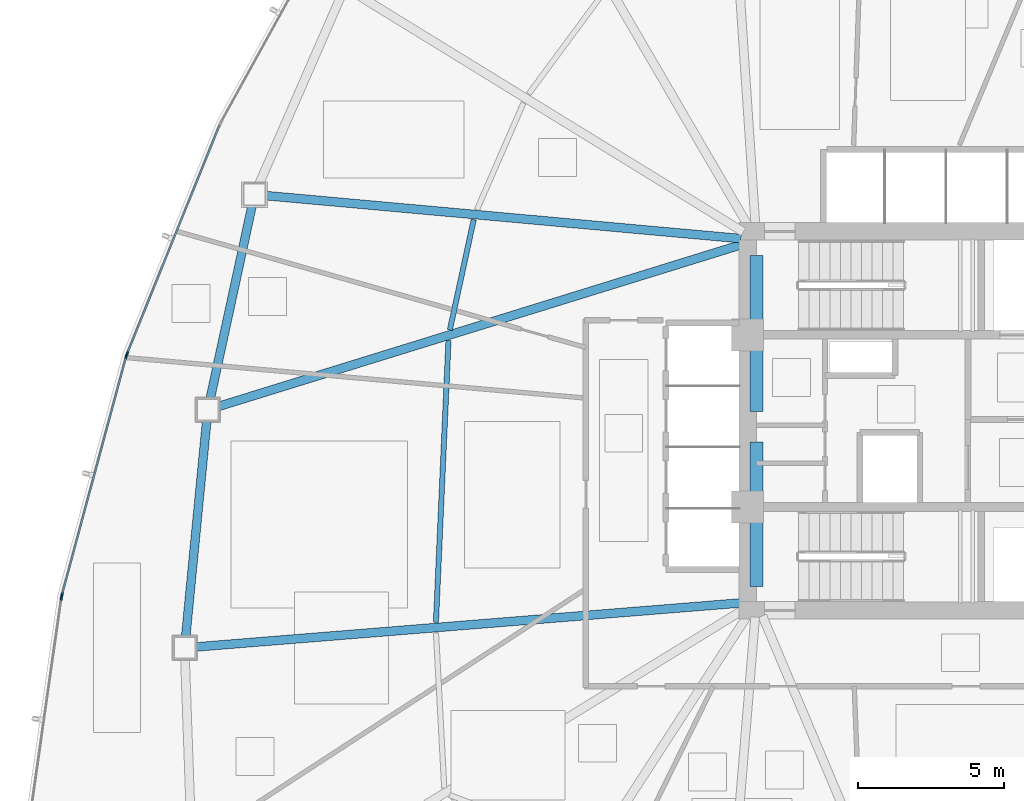
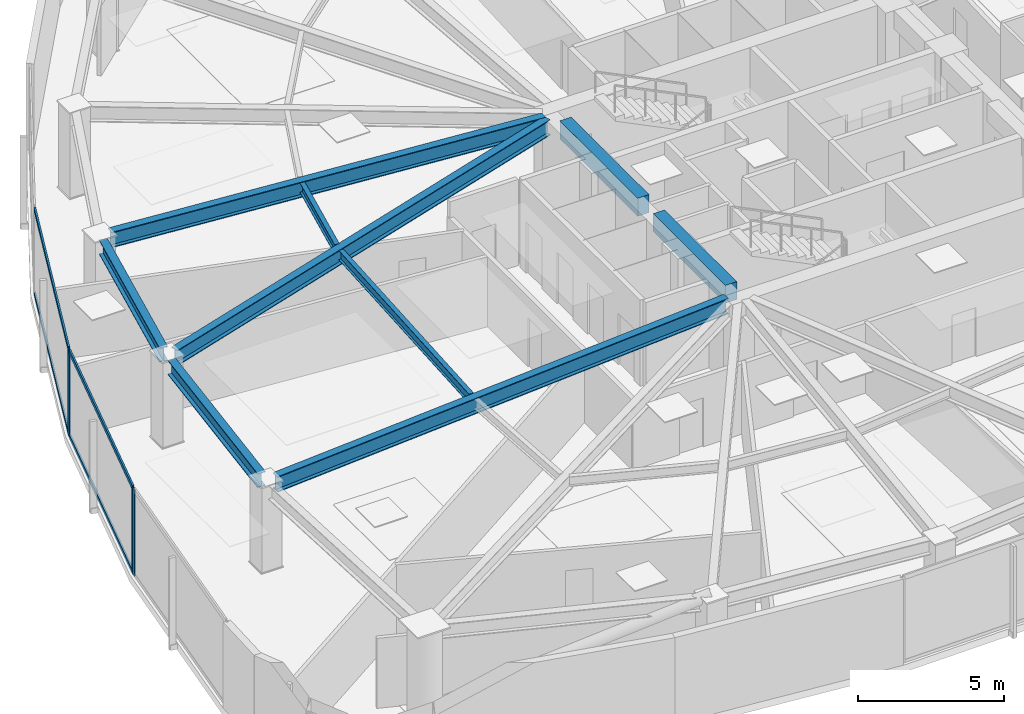
# One storey, part 4 of 17: 9 beams, 8 members, 3 elements without a shape of their own.
"""IFC4 building model written with IfcOpenShell, lengths in metres."""

import ifcopenshell
import ifcopenshell.guid

model = None  # the IFC model being written
_history = None  # IfcOwnerHistory: only IFC2X3 demands one
_inside = {}  # id of a spatial element -> (the spatial element, [elements in it])
_under = {}  # id of a project, library or spatial element -> (it, [spatial elements below it])
_declared = {}  # id of a project -> (the project, [libraries it declares])
_typed = {}  # id of a type object -> (the type object, [elements of that type])
_made_of = {}  # id of a material, layer set ... -> (it, [elements and type objects made of it])


def new_model(schema):
    """Start an empty IFC model of exactly this schema.

    Asked for "IFC4X3", IfcOpenShell would pick the latest addendum, in which some entities
    have other attributes; the version numbers below select the first issue.
    IFC2X3 requires an IfcOwnerHistory on every rooted entity: one is made here for all.
    """
    global model, _history
    if schema == "IFC4X3":
        model = ifcopenshell.file(schema_version=(4, 3, 0, 0))
    else:
        model = ifcopenshell.file(schema=schema)
    _inside.clear()
    _under.clear()
    _declared.clear()
    _typed.clear()
    _made_of.clear()
    _history = None
    if model.schema == "IFC2X3":
        org = make("IfcOrganization", Name="unknown")
        user = make(
            "IfcPersonAndOrganization",
            ThePerson=make("IfcPerson", FamilyName="unknown"),
            TheOrganization=org,
        )
        app = make(
            "IfcApplication",
            ApplicationDeveloper=org,
            Version="unknown",
            ApplicationFullName="unknown",
            ApplicationIdentifier="unknown",
        )
        _history = make(
            "IfcOwnerHistory",
            OwningUser=user,
            OwningApplication=app,
            ChangeAction="ADDED",
            CreationDate=0,
        )
    return model


def make(cls, **values):
    """One entity of the class cls with the attributes given. An attribute that is None is left unset."""
    return model.create_entity(
        cls, **{name: value for name, value in values.items() if value is not None}
    )


def rooted(cls, **values):
    """An entity with a GlobalId (a new one), such as an element, a storey or a relation."""
    return make(cls, GlobalId=ifcopenshell.guid.new(), OwnerHistory=_history, **values)


def si_unit(unit_type, name, prefix=None):
    """IfcSIUnit, for example si_unit("LENGTHUNIT", "METRE", prefix="MILLI")."""
    return make("IfcSIUnit", UnitType=unit_type, Prefix=prefix, Name=name)


def assignment(units):
    """IfcUnitAssignment: the units of a project."""
    return None if units is None else make("IfcUnitAssignment", Units=units)


def point(xyz):
    """IfcCartesianPoint."""
    return None if xyz is None else make("IfcCartesianPoint", Coordinates=xyz)


def direction(xyz):
    """IfcDirection."""
    return None if xyz is None else make("IfcDirection", DirectionRatios=xyz)


def frame(location, z_axis=None, x_axis=None):
    """IfcAxis2Placement3D, a coordinate frame: its origin and axes. An axis left out is left unset."""
    return make(
        "IfcAxis2Placement3D",
        Location=point(location),
        Axis=direction(z_axis),
        RefDirection=direction(x_axis),
    )


def frame_2d(location, x_axis=None):
    """IfcAxis2Placement2D, a coordinate frame in the plane: its origin and x axis."""
    return make(
        "IfcAxis2Placement2D", Location=point(location), RefDirection=direction(x_axis)
    )


def origin():
    """The frame at (0, 0, 0) with its axes left unset."""
    return frame((0.0, 0.0, 0.0))


def origin_2d():
    """The frame at (0, 0) in the plane with its x axis left unset."""
    return frame_2d((0.0, 0.0))


def place(relative_to, where):
    """IfcLocalPlacement: puts the frame where relative to a parent placement (None: the world)."""
    return make(
        "IfcLocalPlacement", PlacementRelTo=relative_to, RelativePlacement=where
    )


def context(
    kind, dimensions, precision=None, world=None, true_north=None, identifier=None
):
    """IfcGeometricRepresentationContext, for example the 3D "Model" context."""
    return make(
        "IfcGeometricRepresentationContext",
        ContextIdentifier=identifier,
        ContextType=kind,
        CoordinateSpaceDimension=dimensions,
        Precision=precision,
        WorldCoordinateSystem=world,
        TrueNorth=true_north,
    )


def subcontext(parent, identifier, kind, view, scale=None):
    """IfcGeometricRepresentationSubContext, for example "Body" below "Model"."""
    return make(
        "IfcGeometricRepresentationSubContext",
        ContextIdentifier=identifier,
        ContextType=kind,
        ParentContext=parent,
        TargetScale=scale,
        TargetView=view,
    )


def project(units=None, contexts=None):
    """IfcProject with its units and contexts."""
    return rooted(
        "IfcProject",
        Name="project",
        RepresentationContexts=contexts,
        UnitsInContext=assignment(units),
    )


def spatial(cls, under=None, at=None, **own):
    """A site, building, storey or space (cls), placed at a placement, below another one or the project."""
    s = rooted(cls, ObjectPlacement=at, **own)
    if under is not None:
        _under.setdefault(under.id(), (under, []))[1].append(s)
    return s


def profile(cls, at=None, kind="AREA", **sizes):
    """A parametric profile (cls). Its sizes go by their IFC names, for example OverallWidth=200.0."""
    return make(cls, ProfileType=kind, Position=at, **sizes)


def rectangle(**sizes):
    """IfcRectangleProfileDef."""
    return profile("IfcRectangleProfileDef", **sizes)


def hollow_rectangle(**sizes):
    """IfcRectangleHollowProfileDef."""
    return profile("IfcRectangleHollowProfileDef", **sizes)


def i_section(**sizes):
    """IfcIShapeProfileDef."""
    return profile("IfcIShapeProfileDef", **sizes)


def extrude(swept, where, along, depth):
    """IfcExtrudedAreaSolid: the profile swept, set in the frame where, extruded along a direction by depth."""
    return make(
        "IfcExtrudedAreaSolid",
        SweptArea=swept,
        Position=where,
        ExtrudedDirection=direction(along),
        Depth=depth,
    )


def shape(context_of_items, identifier, shape_type, items):
    """IfcShapeRepresentation: the items that make up one representation, for example the "Body"."""
    return make(
        "IfcShapeRepresentation",
        ContextOfItems=context_of_items,
        RepresentationIdentifier=identifier,
        RepresentationType=shape_type,
        Items=items,
    )


def source(mapping_origin, context_of_items, identifier, shape_type, items):
    """IfcRepresentationMap: a shape defined once, which mapped items show again and again."""
    return make(
        "IfcRepresentationMap",
        MappingOrigin=mapping_origin,
        MappedRepresentation=shape(context_of_items, identifier, shape_type, items),
    )


def transform(
    local_origin,
    x_axis=None,
    y_axis=None,
    z_axis=None,
    scale=None,
    scale2=None,
    scale3=None,
    uniform=True,
):
    """IfcCartesianTransformationOperator3D, or its non-uniform kind. x_axis, y_axis, z_axis: its Axis1, 2, 3."""
    if uniform:
        return make(
            "IfcCartesianTransformationOperator3D",
            Axis1=direction(x_axis),
            Axis2=direction(y_axis),
            LocalOrigin=point(local_origin),
            Scale=scale,
            Axis3=direction(z_axis),
        )
    return make(
        "IfcCartesianTransformationOperator3DnonUniform",
        Axis1=direction(x_axis),
        Axis2=direction(y_axis),
        LocalOrigin=point(local_origin),
        Scale=scale,
        Axis3=direction(z_axis),
        Scale2=scale2,
        Scale3=scale3,
    )


def mapped(mapping_source, mapping_target):
    """IfcMappedItem: shows the shape of a source again, moved by a transform."""
    return make(
        "IfcMappedItem", MappingSource=mapping_source, MappingTarget=mapping_target
    )


def material(Name=None, Category=None):
    """IfcMaterial."""
    return make("IfcMaterial", Name=Name, Category=Category)


def layer(
    of_material, thickness, ventilated=None, Name=None, Category=None, Priority=None
):
    """IfcMaterialLayer: one layer of a wall or slab, of a material (None: an air gap)."""
    return make(
        "IfcMaterialLayer",
        Material=of_material,
        LayerThickness=thickness,
        IsVentilated=ventilated,
        Name=Name,
        Category=Category,
        Priority=Priority,
    )


def layer_set(layers, Name=None):
    """IfcMaterialLayerSet."""
    return make("IfcMaterialLayerSet", MaterialLayers=layers, LayerSetName=Name)


def material_profile(
    of_material, cross_section, Name=None, Category=None, Priority=None
):
    """IfcMaterialProfile: a cross section and its material."""
    return make(
        "IfcMaterialProfile",
        Name=Name,
        Material=of_material,
        Profile=cross_section,
        Priority=Priority,
        Category=Category,
    )


def profile_set(profiles, Name=None, composite=None):
    """IfcMaterialProfileSet."""
    return make(
        "IfcMaterialProfileSet",
        Name=Name,
        MaterialProfiles=profiles,
        CompositeProfile=composite,
    )


def made_of(thing, what):
    """Note that an element or type object is made of a material, layer set ...; save() writes the relation."""
    if what is not None:
        _made_of.setdefault(what.id(), (what, []))[1].append(thing)
    return thing


def type_object(cls, material=None, **own):
    """A type object (cls), such as IfcWallType, which elements share."""
    return made_of(rooted(cls, **own), material)


def type_shapes(of_type, sources):
    """Give a type object the sources (RepresentationMaps) that its elements show as mapped items."""
    of_type.RepresentationMaps = sources


def element(
    cls,
    number,
    at=None,
    inside=None,
    cuts=None,
    type_object=None,
    material=None,
    context=None,
    identifier="Body",
    shape_type=None,
    held_by="IfcProductDefinitionShape",
    body=None,
    shapes=None,
    **own,
):
    """One element of the class cls, such as IfcWall. Its Tag is "e" and its number.

    at: its placement. inside: the storey or other place that contains it. cuts: it is an
    opening in that element (IfcRelVoidsElement). A single representation is given by context,
    identifier, shape_type and body (its items); several are given by shapes. held_by: the class
    of the entity that holds the representations. save() writes the other relations.
    """
    e = rooted(cls, Tag="e%d" % number, ObjectPlacement=at, **own)
    if body is not None:
        shapes = [shape(context, identifier, shape_type, body)]
    if shapes is not None:
        e.Representation = make(held_by, Representations=shapes)
    if inside is not None:
        _inside.setdefault(inside.id(), (inside, []))[1].append(e)
    if cuts is not None:
        rooted(
            "IfcRelVoidsElement", RelatingBuildingElement=cuts, RelatedOpeningElement=e
        )
    if type_object is not None:
        _typed.setdefault(type_object.id(), (type_object, []))[1].append(e)
    return made_of(e, material)


def aggregate(whole, parts):
    """IfcRelAggregates: a whole, such as a stair, and the parts it consists of."""
    return rooted("IfcRelAggregates", RelatingObject=whole, RelatedObjects=parts)


def save(model, path):
    """Write the relations noted so far, then the file.

    IfcRelAggregates (storeys below a building ...), IfcRelContainedInSpatialStructure (elements
    in a storey), IfcRelDefinesByType, IfcRelAssociatesMaterial and IfcRelDeclares: one each for
    every whole, place, type object, material and project.
    """
    for whole, parts in _under.values():
        aggregate(whole, parts)
    for where, things in _inside.values():
        rooted(
            "IfcRelContainedInSpatialStructure",
            RelatedElements=things,
            RelatingStructure=where,
        )
    for kind, things in _typed.values():
        rooted("IfcRelDefinesByType", RelatedObjects=things, RelatingType=kind)
    for what, things in _made_of.values():
        rooted("IfcRelAssociatesMaterial", RelatedObjects=things, RelatingMaterial=what)
    for by, libraries in _declared.values():
        rooted("IfcRelDeclares", RelatingContext=by, RelatedDefinitions=libraries)
    model.write(path)


model = new_model("IFC4")

# Units and contexts
model_context = context("Model", 3, precision=1e-05, world=origin(), true_north=direction((0.0, 1.0)))
body_context = subcontext(model_context, "Body", "Model", "MODEL_VIEW")
ifc_project = project(units=[si_unit("LENGTHUNIT", "METRE"), si_unit("AREAUNIT", "SQUARE_METRE"), si_unit("VOLUMEUNIT", "CUBIC_METRE"), si_unit("PLANEANGLEUNIT", "RADIAN"), si_unit("MASSUNIT", "GRAM", prefix="KILO")], contexts=[model_context])

# Site, building, storey
site_placement = place(None, origin())
site = spatial("IfcSite", under=ifc_project, at=site_placement, CompositionType="ELEMENT")
building_placement = place(site_placement, origin())
building = spatial("IfcBuilding", under=site, at=building_placement, Name="Tavelor Broadcast Tower", CompositionType="ELEMENT")
storey_placement = place(building_placement, frame((0.0, 0.0, 43.199951171875)))
storey = spatial("IfcBuildingStorey", under=building, at=storey_placement, Name="L09", CompositionType="ELEMENT", Elevation=43.199951171875)

# Beams
ifc_material_1 = material(Name="Concrete C40/50", Category="concrete")
ifc_material_profile_1 = material_profile(ifc_material_1, rectangle(XDim=0.449951171875, YDim=0.75, at=origin_2d()), Name="RC 450x750")
ifc_profile_set_1 = profile_set([ifc_material_profile_1], Name="Concrete C40/50")
beam_type_1 = type_object("IfcBeamType", Name="Basement Core Trim Beam 450x750", PredefinedType="BEAM", material=ifc_profile_set_1)
beam_1_placement = place(storey_placement, frame((43.39990234375, 45.327880859375, 3.22509765625), z_axis=(0.0, 1.0, 0.0), x_axis=(-1.0, 0.0, 0.0)))
element("IfcBeam", 1, at=beam_1_placement, inside=storey, type_object=beam_type_1, Name="L09 Core West-N Tie Girder", PredefinedType="BEAM", context=body_context, shape_type="SweptSolid", body=[
    extrude(rectangle(XDim=0.449951171875, YDim=0.75, at=origin_2d()), origin(), (0.0, 0.0, 1.0), 5.34423828125),
])
beam_2_placement = place(storey_placement, frame((43.39990234375, 39.327880859375, 3.22509765625), z_axis=(0.0, 1.0, 0.0), x_axis=(-1.0, 0.0, 0.0)))
element("IfcBeam", 2, at=beam_2_placement, inside=storey, type_object=beam_type_1, Name="L09 Core West-S Tie Girder", PredefinedType="BEAM", context=body_context, shape_type="SweptSolid", body=[
    extrude(rectangle(XDim=0.449951171875, YDim=0.75, at=origin_2d()), origin(), (0.0, 0.0, 1.0), 4.944091796875),
])
ifc_material_2 = material(Name="Steel S355", Category="steel")
ifc_material_profile_2 = material_profile(ifc_material_2, i_section(OverallWidth=0.179931640625, OverallDepth=0.39990234375, WebThickness=0.008544921875, FlangeThickness=0.013427734375, at=origin_2d()), Name="IPE 400")
ifc_profile_set_2 = profile_set([ifc_material_profile_2], Name="Steel S355")
beam_type_2 = type_object("IfcBeamType", Name="Composite Floor Joist T1 IPE 400", PredefinedType="JOIST", material=ifc_profile_set_2)
beam_3_placement = place(storey_placement, frame((33.70654296875, 51.897216796875, 3.400146484375), z_axis=(-0.211371868345, -0.977405715797, 0.0), x_axis=(0.977405715797, -0.211371868345, 0.0)))
element("IfcBeam", 3, at=beam_3_placement, inside=storey, type_object=beam_type_2, Name="L09 Secondary Composite Floor Joist 04", PredefinedType="JOIST", context=body_context, shape_type="SweptSolid", body=[
    extrude(i_section(OverallWidth=0.179931640625, OverallDepth=0.39990234375, WebThickness=0.008544921875, FlangeThickness=0.013427734375, at=origin_2d()), origin(), (0.0, 0.0, 1.0), 3.87158203125),
])
beam_4_placement = place(storey_placement, frame((32.841796875, 47.75537109375, 3.400146484375), z_axis=(-0.044449316538, -0.999011640703, 0.0), x_axis=(0.999011640703, -0.044449316538, 0.0)))
element("IfcBeam", 4, at=beam_4_placement, inside=storey, type_object=beam_type_2, Name="L09 Secondary Composite Floor Joist 05", PredefinedType="JOIST", context=body_context, shape_type="SweptSolid", body=[
    extrude(i_section(OverallWidth=0.179931640625, OverallDepth=0.39990234375, WebThickness=0.008544921875, FlangeThickness=0.013427734375, at=origin_2d()), origin(), (0.0, 0.0, 1.0), 9.67236328125),
])
ifc_material_profile_3 = material_profile(ifc_material_2, i_section(OverallWidth=0.300048828125, OverallDepth=0.60009765625, WebThickness=0.015380859375, FlangeThickness=0.030029296875, at=origin_2d()), Name="HEB 600")
ifc_profile_set_3 = profile_set([ifc_material_profile_3], Name="Steel S355")
beam_type_3 = type_object("IfcBeamType", Name="Perimeter Spandrel Beam T1 HEB 600", PredefinedType="SPANDREL", material=ifc_profile_set_3)
beam_5_placement = place(storey_placement, frame((26.10791015625, 52.3828125, 3.300048828125), z_axis=(-0.211857092451, -0.977300656082, 0.0), x_axis=(0.977300656082, -0.211857092451, 0.0)))
element("IfcBeam", 5, at=beam_5_placement, inside=storey, type_object=beam_type_3, Name="L09 Framed-Tube Ring Spandrel 04", PredefinedType="SPANDREL", context=body_context, shape_type="SweptSolid", body=[
    extrude(i_section(OverallWidth=0.300048828125, OverallDepth=0.60009765625, WebThickness=0.015380859375, FlangeThickness=0.030029296875, at=origin_2d()), origin(), (0.0, 0.0, 1.0), 6.780517578125),
])
beam_6_placement = place(storey_placement, frame((24.552734375, 44.99853515625, 3.300048828125), z_axis=(-0.096967474029, -0.995287550902, 0.0), x_axis=(0.995287550902, -0.096967474029, 0.0)))
element("IfcBeam", 6, at=beam_6_placement, inside=storey, type_object=beam_type_3, Name="L09 Framed-Tube Ring Spandrel 05", PredefinedType="SPANDREL", context=body_context, shape_type="SweptSolid", body=[
    extrude(i_section(OverallWidth=0.300048828125, OverallDepth=0.60009765625, WebThickness=0.015380859375, FlangeThickness=0.030029296875, at=origin_2d()), origin(), (0.0, 0.0, 1.0), 7.43505859375),
])
ifc_material_profile_4 = material_profile(ifc_material_2, i_section(OverallWidth=0.300048828125, OverallDepth=0.64990234375, WebThickness=0.01611328125, FlangeThickness=0.031005859375, at=origin_2d()), Name="HEB 650")
ifc_profile_set_4 = profile_set([ifc_material_profile_4], Name="Steel S355")
beam_type_4 = type_object("IfcBeamType", Name="Radial Floor Girder T1 HEB 650", PredefinedType="BEAM", material=ifc_profile_set_4)
beam_7_placement = place(storey_placement, frame((42.874267578125, 51.24755859375, 3.275146484375), z_axis=(-0.995926026359, 0.090173998583, 0.0), x_axis=(-0.090173998583, -0.995926026359, 0.0)))
element("IfcBeam", 7, at=beam_7_placement, inside=storey, type_object=beam_type_4, Name="L09 Radial Primary Floor Girder 04", PredefinedType="BEAM", context=body_context, shape_type="SweptSolid", body=[
    extrude(i_section(OverallWidth=0.300048828125, OverallDepth=0.64990234375, WebThickness=0.01611328125, FlangeThickness=0.031005859375, at=origin_2d()), origin(), (0.0, 0.0, 1.0), 16.369140625),
])
beam_8_placement = place(storey_placement, frame((42.8955078125, 51.0439453125, 3.275146484375), z_axis=(-0.955325842182, -0.29555462314, 0.0), x_axis=(0.29555462314, -0.955325842182, 0.0)))
element("IfcBeam", 8, at=beam_8_placement, inside=storey, type_object=beam_type_4, Name="L09 Radial Primary Floor Girder 05", PredefinedType="BEAM", context=body_context, shape_type="SweptSolid", body=[
    extrude(i_section(OverallWidth=0.300048828125, OverallDepth=0.64990234375, WebThickness=0.01611328125, FlangeThickness=0.031005859375, at=origin_2d()), origin(), (0.0, 0.0, 1.0), 18.777587890625),
])
beam_9_placement = place(storey_placement, frame((42.873779296875, 38.757568359375, 3.275146484375), z_axis=(-0.996753315624, -0.080516009538, 0.0), x_axis=(0.080516009538, -0.996753315624, 0.0)))
element("IfcBeam", 9, at=beam_9_placement, inside=storey, type_object=beam_type_4, Name="L09 Radial Primary Floor Girder 06", PredefinedType="BEAM", context=body_context, shape_type="SweptSolid", body=[
    extrude(i_section(OverallWidth=0.300048828125, OverallDepth=0.64990234375, WebThickness=0.01611328125, FlangeThickness=0.031005859375, at=origin_2d()), origin(), (0.0, 0.0, 1.0), 18.757080078125),
])

# Curtain wall, member
ifc_material_3 = material(Name="Architectural Anodized Aluminium", Category="aluminium")
ifc_layer = layer(ifc_material_3, 0.179931640625)
ifc_layer_set = layer_set([ifc_layer], Name="Architectural Anodized Aluminium")
curtain_wall_type = type_object("IfcCurtainWallType", Name="Tower Low-Zone Unitised Curtain Wall CW02", PredefinedType="NOTDEFINED", material=ifc_layer_set)
curtain_wall_1_placement = place(storey_placement, origin())
curtain_wall_1 = element("IfcCurtainWall", 10, at=curtain_wall_1_placement, inside=storey, type_object=curtain_wall_type, Name="L09 Curtain Wall CW02 Run 62", PredefinedType="NOTDEFINED")
ifc_material_profile_5 = material_profile(ifc_material_3, hollow_rectangle(XDim=0.06494140625, YDim=0.179931640625, WallThickness=0.02197265625, at=origin_2d()), Name="RHS 65x180x22")
ifc_profile_set_5 = profile_set([ifc_material_profile_5], Name="Architectural Anodized Aluminium")
member_type_1 = type_object("IfcMemberType", Name="CW02 Extruded Aluminium Mullion 65x180", PredefinedType="MULLION", material=ifc_profile_set_5)
shared_shape_1 = source(origin(), body_context, "Body", "SweptSolid", [
    extrude(hollow_rectangle(XDim=0.06494140625, YDim=0.179931640625, WallThickness=0.02197265625, at=origin_2d()), origin(), (0.0, 0.0, 1.0), 3.60009765625),
])
type_shapes(member_type_1, [shared_shape_1])
member_1_placement = place(storey_placement, frame((21.823486328125, 47.300537109375, 0.0), z_axis=(0.0, 0.0, 1.0), x_axis=(0.927018765158, -0.375014945096, 0.0)))
member_1 = element("IfcMember", 11, at=member_1_placement, type_object=member_type_1, Name="CW02 mullion 2", PredefinedType="MULLION", context=body_context, shape_type="MappedRepresentation", body=[
    mapped(shared_shape_1, transform((0.0, 0.0, 0.0), scale=1.0)),
])

# Curtain wall, members
curtain_wall_2_placement = place(storey_placement, origin())
curtain_wall_2 = element("IfcCurtainWall", 12, at=curtain_wall_2_placement, inside=storey, type_object=curtain_wall_type, Name="L09 Curtain Wall CW02 Run 63", PredefinedType="NOTDEFINED")
member_2_placement = place(storey_placement, frame((21.79345703125, 47.21044921875, 0.0), z_axis=(0.0, 0.0, 1.0), x_axis=(0.96558940258, -0.260071347183, 0.0)))
member_2 = element("IfcMember", 13, at=member_2_placement, type_object=member_type_1, Name="CW02 mullion 1", PredefinedType="MULLION", context=body_context, shape_type="MappedRepresentation", body=[
    mapped(shared_shape_1, transform((0.0, 0.0, 0.0), scale=1.0)),
])
member_3_placement = place(storey_placement, frame((19.590087890625, 39.02978515625, 0.0), z_axis=(0.0, 0.0, 1.0), x_axis=(0.96558940258, -0.260071347183, 0.0)))
member_3 = element("IfcMember", 14, at=member_3_placement, type_object=member_type_1, Name="CW02 mullion 2", PredefinedType="MULLION", context=body_context, shape_type="MappedRepresentation", body=[
    mapped(shared_shape_1, transform((0.0, 0.0, 0.0), scale=1.0)),
])

# Curtain wall, member
curtain_wall_3_placement = place(storey_placement, origin())
curtain_wall_3 = element("IfcCurtainWall", 15, at=curtain_wall_3_placement, inside=storey, type_object=curtain_wall_type, Name="L09 Curtain Wall CW02 Run 64", PredefinedType="NOTDEFINED")
member_4_placement = place(storey_placement, frame((19.571044921875, 38.93701171875, 0.0), z_axis=(0.0, 0.0, 1.0), x_axis=(0.989964920346, -0.141313327343, 0.0)))
member_4 = element("IfcMember", 16, at=member_4_placement, type_object=member_type_1, Name="CW02 mullion 1", PredefinedType="MULLION", context=body_context, shape_type="MappedRepresentation", body=[
    mapped(shared_shape_1, transform((0.0, 0.0, 0.0), scale=1.0)),
])
aggregate(curtain_wall_3, [member_4])

# Member
ifc_material_profile_6 = material_profile(ifc_material_3, hollow_rectangle(XDim=0.06494140625, YDim=0.179931640625, WallThickness=0.02197265625, at=origin_2d()), Name="RHS 65x180x22")
ifc_profile_set_6 = profile_set([ifc_material_profile_6], Name="Architectural Anodized Aluminium")
member_type_2 = type_object("IfcMemberType", Name="CW02 Extruded Aluminium Transom 65x180", PredefinedType="USERDEFINED", material=ifc_profile_set_6)
shared_shape_2 = source(origin(), body_context, "Body", "SweptSolid", [
    extrude(hollow_rectangle(XDim=0.06494140625, YDim=0.179931640625, WallThickness=0.02197265625, at=origin_2d()), origin(), (0.0, 0.0, 1.0), 8.4072265625),
])
type_shapes(member_type_2, [shared_shape_2])
member_5_placement = place(storey_placement, frame((24.988525390625, 55.124267578125, 0.032470703125), z_axis=(-0.375012744148, -0.927019655523, 0.0), x_axis=(0.927019655523, -0.375012744148, 0.0)))
member_5 = element("IfcMember", 17, at=member_5_placement, type_object=member_type_2, Name="CW02 transom 1.1", ObjectType="TRANSOM", PredefinedType="USERDEFINED", context=body_context, shape_type="MappedRepresentation", body=[
    mapped(shared_shape_2, transform((0.0, 0.0, 0.0), scale=1.0)),
])

member_6_placement = place(storey_placement, frame((24.988525390625, 55.124267578125, 3.567626953125), z_axis=(-0.375012744148, -0.927019655523, 0.0), x_axis=(0.927019655523, -0.375012744148, 0.0)))
member_6 = element("IfcMember", 18, at=member_6_placement, type_object=member_type_2, Name="CW02 transom 1.2", ObjectType="TRANSOM", PredefinedType="USERDEFINED", context=body_context, shape_type="MappedRepresentation", body=[
    mapped(shared_shape_2, transform((0.0, 0.0, 0.0), scale=1.0)),
])

aggregate(curtain_wall_1, [member_1, member_5, member_6])

member_7_placement = place(storey_placement, frame((21.784912109375, 47.17919921875, 0.032470703125), z_axis=(-0.260076571733, -0.965587995387, 0.0), x_axis=(0.965587995387, -0.260076571733, 0.0)))
member_7 = element("IfcMember", 19, at=member_7_placement, type_object=member_type_2, Name="CW02 transom 1.1", ObjectType="TRANSOM", PredefinedType="USERDEFINED", context=body_context, shape_type="MappedRepresentation", body=[
    mapped(shared_shape_2, transform((0.0, 0.0, 0.0), scale=1.0)),
])

member_8_placement = place(storey_placement, frame((21.784912109375, 47.17919921875, 3.567626953125), z_axis=(-0.260076571733, -0.965587995387, 0.0), x_axis=(0.965587995387, -0.260076571733, 0.0)))
member_8 = element("IfcMember", 20, at=member_8_placement, type_object=member_type_2, Name="CW02 transom 1.2", ObjectType="TRANSOM", PredefinedType="USERDEFINED", context=body_context, shape_type="MappedRepresentation", body=[
    mapped(shared_shape_2, transform((0.0, 0.0, 0.0), scale=1.0)),
])

aggregate(curtain_wall_2, [member_2, member_3, member_7, member_8])

save(model, "model.ifc")
